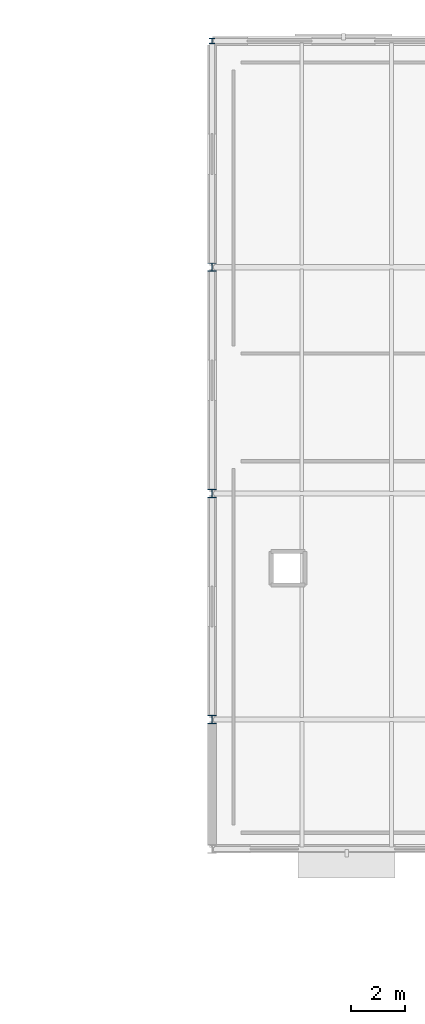
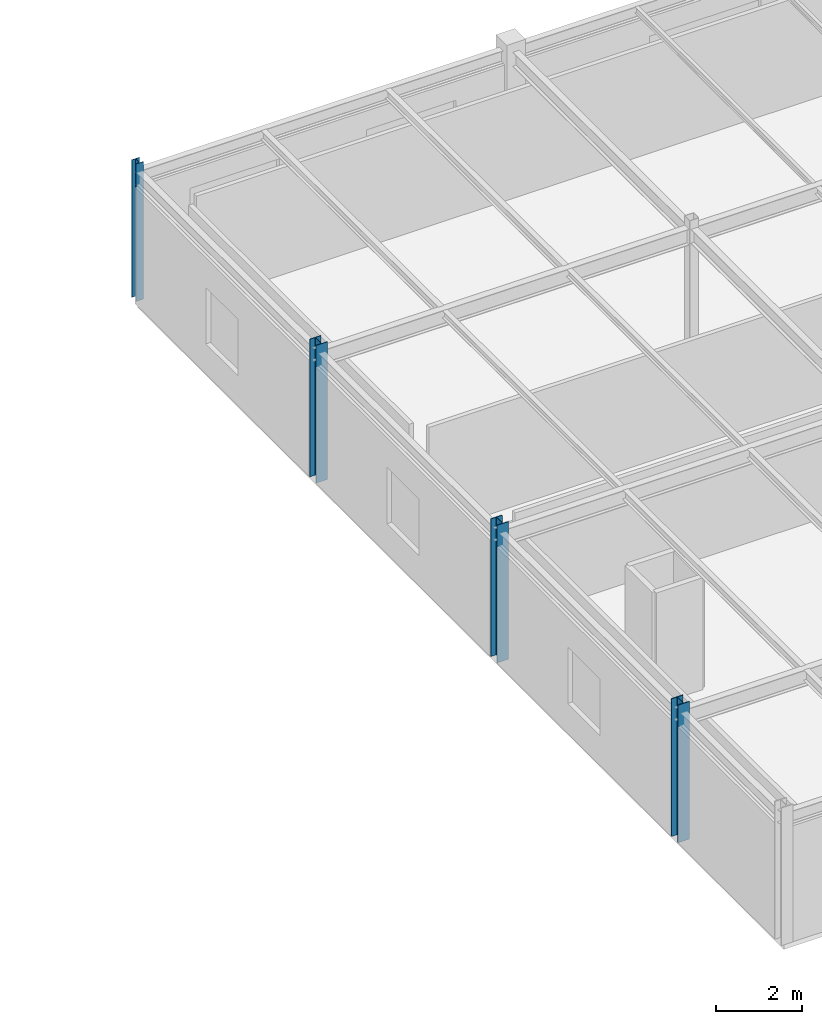
# One storey, part 16 of 98: 4 columns.
"""IFC4 building model written with IfcOpenShell, lengths in metres."""

from ifc_helpers import new_model, si_unit, derived_unit, direction, frame, origin, origin_2d_with_axis, place, context, subcontext, project, spatial, i_section, extrude, material, material_profile, profile_set, type_object, element, save


model = new_model("IFC4")

# Units and contexts
model_context = context("Model", 3, precision=1e-05, world=origin(), true_north=direction((0.0, 1.0)))
body_context = subcontext(model_context, "Body", "Model", "MODEL_VIEW")
ifc_project = project(units=[si_unit("LENGTHUNIT", "METRE"), si_unit("AREAUNIT", "SQUARE_METRE"), si_unit("VOLUMEUNIT", "CUBIC_METRE"), si_unit("PLANEANGLEUNIT", "RADIAN"), si_unit("MASSUNIT", "GRAM", prefix="KILO"), derived_unit("THERMALTRANSMITTANCEUNIT", [(si_unit("POWERUNIT", "WATT"), 1), (si_unit("LENGTHUNIT", "METRE"), -2), (si_unit("THERMODYNAMICTEMPERATUREUNIT", "KELVIN"), -1)])], contexts=[model_context])

# Site, building, storey
site_placement = place(None, origin())
site = spatial("IfcSite", under=ifc_project, at=site_placement, CompositionType="ELEMENT")
building_placement = place(site_placement, origin())
building = spatial("IfcBuilding", under=site, at=building_placement, Name="Cinnabar Yard Market Hall", CompositionType="ELEMENT")
storey_placement = place(building_placement, frame((0.0, 0.0, 4.5)))
storey = spatial("IfcBuildingStorey", under=building, at=storey_placement, Name="L01", CompositionType="ELEMENT", Elevation=4.5)

# Columns
ifc_material_1 = material(Name="Steel Grade 350 (350 MPa)", Category="steel")
ifc_material_profile_1 = material_profile(ifc_material_1, i_section(OverallWidth=0.30908203125, OverallDepth=0.320556640625, WebThickness=0.013916015625, FlangeThickness=0.021728515625, FilletRadius=0.0166015625, at=origin_2d_with_axis()), Name="310UC137")
ifc_profile_set_1 = profile_set([ifc_material_profile_1], Name="Steel Grade 350 (350 MPa)")
column_type_1 = type_object("IfcColumnType", Name="COL-C07E", PredefinedType="COLUMN", material=ifc_profile_set_1)
column_1_placement = place(storey_placement, frame((66.0, 112.800048828125, 0.0), z_axis=(0.0, 0.0, 1.0), x_axis=(1.0, 0.0, 0.0)))
element("IfcColumn", 1, at=column_1_placement, inside=storey, type_object=column_type_1, Name="Wing Column V3-01-02 L01", PredefinedType="COLUMN", context=body_context, shape_type="SweptSolid", body=[
    extrude(i_section(OverallWidth=0.30908203125, OverallDepth=0.320556640625, WebThickness=0.013916015625, FlangeThickness=0.021728515625, FilletRadius=0.0166015625, at=origin_2d_with_axis()), origin(), (0.0, 0.0, 1.0), 3.89990234375),
])
ifc_material_2 = material(Name="Steel Grade 300 (300 MPa)", Category="steel")
ifc_material_profile_2 = material_profile(ifc_material_2, i_section(OverallWidth=0.307373046875, OverallDepth=0.314697265625, WebThickness=0.011962890625, FlangeThickness=0.018798828125, FilletRadius=0.0166015625, at=origin_2d_with_axis()), Name="310UC118")
ifc_profile_set_2 = profile_set([ifc_material_profile_2], Name="Steel Grade 300 (300 MPa)")
column_type_2 = type_object("IfcColumnType", Name="COL-C08E", PredefinedType="COLUMN", material=ifc_profile_set_2)
column_2_placement = place(storey_placement, frame((66.0, 121.199951171875, 0.0), z_axis=(0.0, 0.0, 1.0), x_axis=(1.0, 0.0, 0.0)))
element("IfcColumn", 2, at=column_2_placement, inside=storey, type_object=column_type_2, Name="Wing Column V3-01-03 L01", PredefinedType="COLUMN", context=body_context, shape_type="SweptSolid", body=[
    extrude(i_section(OverallWidth=0.307373046875, OverallDepth=0.314697265625, WebThickness=0.011962890625, FlangeThickness=0.018798828125, FilletRadius=0.0166015625, at=origin_2d_with_axis()), origin(), (0.0, 0.0, 1.0), 3.89990234375),
])
ifc_material_profile_3 = material_profile(ifc_material_2, i_section(OverallWidth=0.304931640625, OverallDepth=0.30810546875, WebThickness=0.010009765625, FlangeThickness=0.015380859375, FilletRadius=0.0166015625, at=origin_2d_with_axis()), Name="310UC96.8")
ifc_profile_set_3 = profile_set([ifc_material_profile_3], Name="Steel Grade 300 (300 MPa)")
column_type_3 = type_object("IfcColumnType", Name="COL-C09E", PredefinedType="COLUMN", material=ifc_profile_set_3)
column_3_placement = place(storey_placement, frame((66.0, 129.60009765625, 0.0), z_axis=(0.0, 0.0, 1.0), x_axis=(1.0, 0.0, 0.0)))
element("IfcColumn", 3, at=column_3_placement, inside=storey, type_object=column_type_3, Name="Wing Column V3-01-04 L01", PredefinedType="COLUMN", context=body_context, shape_type="SweptSolid", body=[
    extrude(i_section(OverallWidth=0.304931640625, OverallDepth=0.30810546875, WebThickness=0.010009765625, FlangeThickness=0.015380859375, FilletRadius=0.0166015625, at=origin_2d_with_axis()), origin(), (0.0, 0.0, 1.0), 3.89990234375),
])
ifc_material_profile_4 = material_profile(ifc_material_2, i_section(OverallWidth=0.203369140625, OverallDepth=0.203369140625, WebThickness=0.00732421875, FlangeThickness=0.010986328125, FilletRadius=0.011474609375, at=origin_2d_with_axis()), Name="200UC46.2")
ifc_profile_set_4 = profile_set([ifc_material_profile_4], Name="Steel Grade 300 (300 MPa)")
column_type_4 = type_object("IfcColumnType", Name="COL-C13E", PredefinedType="COLUMN", material=ifc_profile_set_4)
column_4_placement = place(storey_placement, frame((66.0, 138.0, 0.0), z_axis=(0.0, 0.0, 1.0), x_axis=(1.0, 0.0, 0.0)))
element("IfcColumn", 4, at=column_4_placement, inside=storey, type_object=column_type_4, Name="Wing Column V3-01-05 L01", PredefinedType="COLUMN", context=body_context, shape_type="SweptSolid", body=[
    extrude(i_section(OverallWidth=0.203369140625, OverallDepth=0.203369140625, WebThickness=0.00732421875, FlangeThickness=0.010986328125, FilletRadius=0.011474609375, at=origin_2d_with_axis()), origin(), (0.0, 0.0, 1.0), 3.89990234375),
])

save(model, "model.ifc")
